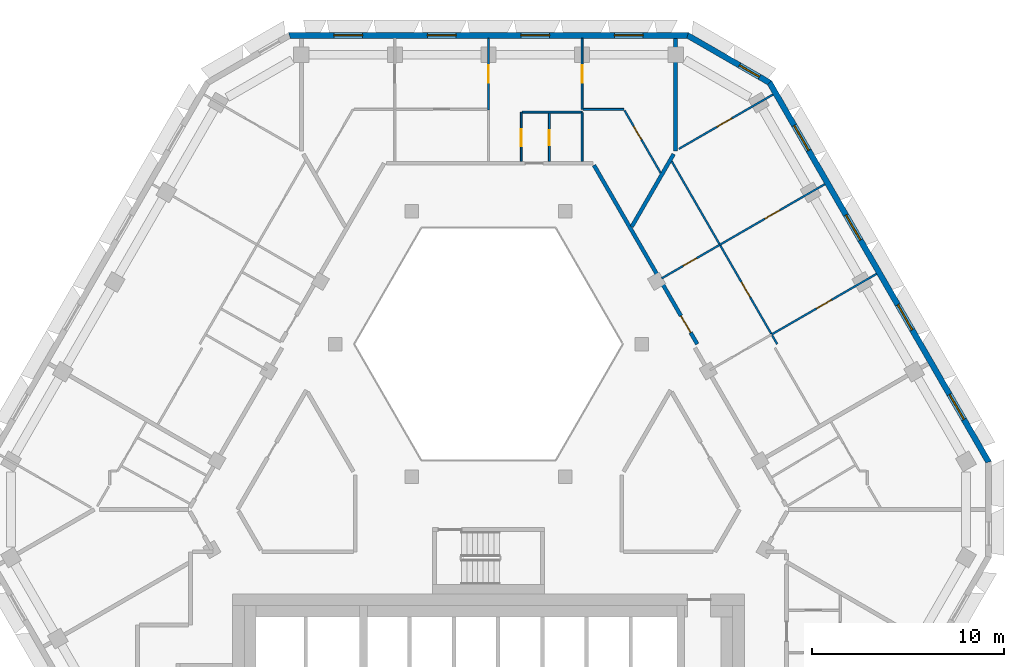
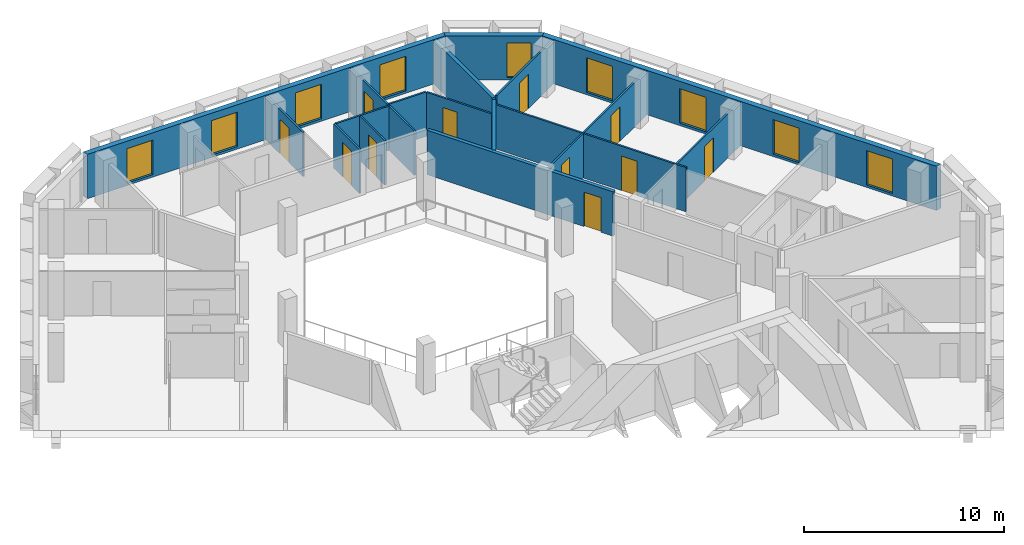
# One storey, part 7 of 14: 19 walls, 11 doors, 9 windows, 20 openings.
"""IFC4 building model written with IfcOpenShell, lengths in metres."""

from ifc_helpers import new_model, si_unit, direction, frame, frame_2d, origin, place, context, subcontext, project, spatial, polyline, rectangle, outline, extrude, material, layer, layer_set, type_object, element, fill, save


model = new_model("IFC4")

# Units and contexts
model_context = context("Model", 3, precision=1e-05, world=origin(), true_north=direction((0.0, 1.0)))
body_context = subcontext(model_context, "Body", "Model", "MODEL_VIEW")
ifc_project = project(units=[si_unit("LENGTHUNIT", "METRE"), si_unit("AREAUNIT", "SQUARE_METRE"), si_unit("VOLUMEUNIT", "CUBIC_METRE"), si_unit("PLANEANGLEUNIT", "RADIAN"), si_unit("MASSUNIT", "GRAM", prefix="KILO")], contexts=[model_context])

# Site, building, storey
site_placement = place(None, origin())
site = spatial("IfcSite", under=ifc_project, at=site_placement, CompositionType="ELEMENT")
building_placement = place(site_placement, origin())
building = spatial("IfcBuilding", under=site, at=building_placement, Name="Beryl Residences", CompositionType="ELEMENT")
storey_placement = place(building_placement, frame((0.0, 0.0, 181.199951171875)))
storey = spatial("IfcBuildingStorey", under=building, at=storey_placement, Name="L55", CompositionType="ELEMENT", Elevation=181.199951171875)

# Wall, openings, windows
ifc_material_1 = material(Name="Composite metal panel with mineral wool insulation")
ifc_layer_1 = layer(ifc_material_1, 0.300048828125)
ifc_layer_set_1 = layer_set([ifc_layer_1], Name="ES1 pale metal composite panel wall 300 mm")
wall_type_1 = type_object("IfcWallType", Name="ES1 pale metal composite panel wall 300 mm", PredefinedType="SOLIDWALL", material=ifc_layer_set_1)
wall_1_placement = place(storey_placement, frame((10.39208984375, 24.050048828125, 0.0), z_axis=(0.0, 0.0, 1.0), x_axis=(-1.0, 0.0, 0.0)))
wall_1 = element("IfcWall", 1, at=wall_1_placement, inside=storey, type_object=wall_type_1, Name="ES1 external wall L55 N", PredefinedType="SOLIDWALL", context=body_context, shape_type="SweptSolid", body=[
    extrude(outline(polyline([(0.0, -0.14990234375), (20.7841796875, -0.14990234375), (20.703857421875, 0.14990234375), (0.080322265625, 0.14990234375), (0.0, -0.14990234375)])), origin(), (0.0, 0.0, 1.0), 2.699951171875),
])
opening_1_placement = place(wall_1_placement, frame((2.345947265625, 0.0, 0.14990234375)))
opening_1 = element("IfcOpeningElement", 2, at=opening_1_placement, cuts=wall_1, Name="Opening W1", PredefinedType="OPENING", context=body_context, shape_type="SweptSolid", body=[
    extrude(rectangle(XDim=1.5, YDim=2.10009765625, at=frame_2d((0.75, 1.050048828125))), frame((0.0, 0.159912109375, 0.0), z_axis=(0.0, -1.0, 0.0), x_axis=(1.0, 0.0, 0.0)), (0.0, 0.0, 1.0), 0.320068359375),
])
opening_2_placement = place(wall_1_placement, frame((7.2099609375, 0.0, 0.14990234375)))
opening_2 = element("IfcOpeningElement", 3, at=opening_2_placement, cuts=wall_1, Name="Opening W1", PredefinedType="OPENING", context=body_context, shape_type="SweptSolid", body=[
    extrude(rectangle(XDim=1.5, YDim=2.10009765625, at=frame_2d((0.75, 1.050048828125))), frame((0.0, 0.159912109375, 0.0), z_axis=(0.0, -1.0, 0.0), x_axis=(1.0, 0.0, 0.0)), (0.0, 0.0, 1.0), 0.320068359375),
])
opening_3_placement = place(wall_1_placement, frame((12.073974609375, 0.0, 0.14990234375)))
opening_3 = element("IfcOpeningElement", 4, at=opening_3_placement, cuts=wall_1, Name="Opening W1", PredefinedType="OPENING", context=body_context, shape_type="SweptSolid", body=[
    extrude(rectangle(XDim=1.5, YDim=2.10009765625, at=frame_2d((0.75, 1.050048828125))), frame((0.0, 0.159912109375, 0.0), z_axis=(0.0, -1.0, 0.0), x_axis=(1.0, 0.0, 0.0)), (0.0, 0.0, 1.0), 0.320068359375),
])
opening_4_placement = place(wall_1_placement, frame((16.93798828125, 0.0, 0.14990234375)))
opening_4 = element("IfcOpeningElement", 5, at=opening_4_placement, cuts=wall_1, Name="Opening W1", PredefinedType="OPENING", context=body_context, shape_type="SweptSolid", body=[
    extrude(rectangle(XDim=1.5, YDim=2.10009765625, at=frame_2d((0.75, 1.050048828125))), frame((0.0, 0.159912109375, 0.0), z_axis=(0.0, -1.0, 0.0), x_axis=(1.0, 0.0, 0.0)), (0.0, 0.0, 1.0), 0.320068359375),
])
ifc_material_2 = material(Name="Aluminium and clear glass", Category="aluminium")
window_type_1 = type_object("IfcWindowType", Name="W1 cell window 1500 x 2100 mm", PartitioningType="SINGLE_PANEL", PredefinedType="WINDOW", material=ifc_material_2)
window_1_placement = place(opening_1_placement, origin())
window_1 = element("IfcWindow", 6, at=window_1_placement, inside=storey, type_object=window_type_1, Name="W1 window L55 N 2", OverallHeight=2.10009765625, OverallWidth=1.5, PartitioningType="SINGLE_PANEL", PredefinedType="WINDOW", context=body_context, shape_type="SweptSolid", body=[
    extrude(rectangle(XDim=1.5, YDim=2.10009765625, at=frame_2d((0.75, 1.050048828125))), frame((0.0, 0.030029296875, 0.0), z_axis=(0.0, -1.0, 0.0), x_axis=(1.0, 0.0, 0.0)), (0.0, 0.0, 1.0), 0.06005859375),
])
fill(opening_1, window_1)
window_2_placement = place(opening_2_placement, origin())
window_2 = element("IfcWindow", 7, at=window_2_placement, inside=storey, type_object=window_type_1, Name="W1 window L55 N 4", OverallHeight=2.10009765625, OverallWidth=1.5, PartitioningType="SINGLE_PANEL", PredefinedType="WINDOW", context=body_context, shape_type="SweptSolid", body=[
    extrude(rectangle(XDim=1.5, YDim=2.10009765625, at=frame_2d((0.75, 1.050048828125))), frame((0.0, 0.030029296875, 0.0), z_axis=(0.0, -1.0, 0.0), x_axis=(1.0, 0.0, 0.0)), (0.0, 0.0, 1.0), 0.06005859375),
])
fill(opening_2, window_2)
window_3_placement = place(opening_3_placement, origin())
window_3 = element("IfcWindow", 8, at=window_3_placement, inside=storey, type_object=window_type_1, Name="W1 window L55 N 6", OverallHeight=2.10009765625, OverallWidth=1.5, PartitioningType="SINGLE_PANEL", PredefinedType="WINDOW", context=body_context, shape_type="SweptSolid", body=[
    extrude(rectangle(XDim=1.5, YDim=2.10009765625, at=frame_2d((0.75, 1.050048828125))), frame((0.0, 0.030029296875, 0.0), z_axis=(0.0, -1.0, 0.0), x_axis=(1.0, 0.0, 0.0)), (0.0, 0.0, 1.0), 0.06005859375),
])
fill(opening_3, window_3)
window_4_placement = place(opening_4_placement, origin())
window_4 = element("IfcWindow", 9, at=window_4_placement, inside=storey, type_object=window_type_1, Name="W1 window L55 N 8", OverallHeight=2.10009765625, OverallWidth=1.5, PartitioningType="SINGLE_PANEL", PredefinedType="WINDOW", context=body_context, shape_type="SweptSolid", body=[
    extrude(rectangle(XDim=1.5, YDim=2.10009765625, at=frame_2d((0.75, 1.050048828125))), frame((0.0, 0.030029296875, 0.0), z_axis=(0.0, -1.0, 0.0), x_axis=(1.0, 0.0, 0.0)), (0.0, 0.0, 1.0), 0.06005859375),
])
fill(opening_4, window_4)

wall_2_placement = place(storey_placement, frame((26.02392578125, 1.824951171875, 0.0), z_axis=(0.0, 0.0, 1.0), x_axis=(-0.500010537973, 0.866019319597, 0.0)))
wall_2 = element("IfcWall", 10, at=wall_2_placement, inside=storey, type_object=wall_type_1, Name="ES1 external wall L55 NE", PredefinedType="SOLIDWALL", context=body_context, shape_type="SweptSolid", body=[
    extrude(outline(polyline([(0.0, -0.14990234375), (22.86328125, -0.14990234375), (22.782958984375, 0.14990234375), (0.080322265625, 0.14990234375), (0.0, -0.14990234375)])), origin(), (0.0, 0.0, 1.0), 2.699951171875),
])
opening_5_placement = place(wall_2_placement, frame((2.60595703125, 0.0, 0.14990234375)))
opening_5 = element("IfcOpeningElement", 11, at=opening_5_placement, cuts=wall_2, Name="Opening W1", PredefinedType="OPENING", context=body_context, shape_type="SweptSolid", body=[
    extrude(rectangle(XDim=1.5, YDim=2.10009765625, at=frame_2d((0.75, 1.050048828125))), frame((0.0, 0.159912109375, 0.0), z_axis=(0.0, -1.0, 0.0), x_axis=(1.0, 0.0, 0.0)), (0.0, 0.0, 1.0), 0.320068359375),
])
opening_6_placement = place(wall_2_placement, frame((7.989990234375, 0.0, 0.14990234375)))
opening_6 = element("IfcOpeningElement", 12, at=opening_6_placement, cuts=wall_2, Name="Opening W1", PredefinedType="OPENING", context=body_context, shape_type="SweptSolid", body=[
    extrude(rectangle(XDim=1.5, YDim=2.10009765625, at=frame_2d((0.75, 1.050048828125))), frame((0.0, 0.159912109375, 0.0), z_axis=(0.0, -1.0, 0.0), x_axis=(1.0, 0.0, 0.0)), (0.0, 0.0, 1.0), 0.320068359375),
])
opening_7_placement = place(wall_2_placement, frame((13.373046875, 0.0, 0.14990234375)))
opening_7 = element("IfcOpeningElement", 13, at=opening_7_placement, cuts=wall_2, Name="Opening W1", PredefinedType="OPENING", context=body_context, shape_type="SweptSolid", body=[
    extrude(rectangle(XDim=1.5, YDim=2.10009765625, at=frame_2d((0.75, 1.050048828125))), frame((0.0, 0.159912109375, 0.0), z_axis=(0.0, -1.0, 0.0), x_axis=(1.0, 0.0, 0.0)), (0.0, 0.0, 1.0), 0.320068359375),
])
opening_8_placement = place(wall_2_placement, frame((18.758056640625, 0.0, 0.14990234375)))
opening_8 = element("IfcOpeningElement", 14, at=opening_8_placement, cuts=wall_2, Name="Opening W1", PredefinedType="OPENING", context=body_context, shape_type="SweptSolid", body=[
    extrude(rectangle(XDim=1.5, YDim=2.10009765625, at=frame_2d((0.75, 1.050048828125))), frame((0.0, 0.159912109375, 0.0), z_axis=(0.0, -1.0, 0.0), x_axis=(1.0, 0.0, 0.0)), (0.0, 0.0, 1.0), 0.320068359375),
])
window_5_placement = place(opening_5_placement, origin())
window_5 = element("IfcWindow", 15, at=window_5_placement, inside=storey, type_object=window_type_1, Name="W1 window L55 NE 2", OverallHeight=2.10009765625, OverallWidth=1.5, PartitioningType="SINGLE_PANEL", PredefinedType="WINDOW", context=body_context, shape_type="SweptSolid", body=[
    extrude(rectangle(XDim=1.5, YDim=2.10009765625, at=frame_2d((0.75, 1.050048828125))), frame((0.0, 0.030029296875, 0.0), z_axis=(0.0, -1.0, 0.0), x_axis=(1.0, 0.0, 0.0)), (0.0, 0.0, 1.0), 0.06005859375),
])
fill(opening_5, window_5)
window_6_placement = place(opening_6_placement, origin())
window_6 = element("IfcWindow", 16, at=window_6_placement, inside=storey, type_object=window_type_1, Name="W1 window L55 NE 4", OverallHeight=2.10009765625, OverallWidth=1.5, PartitioningType="SINGLE_PANEL", PredefinedType="WINDOW", context=body_context, shape_type="SweptSolid", body=[
    extrude(rectangle(XDim=1.5, YDim=2.10009765625, at=frame_2d((0.75, 1.050048828125))), frame((0.0, 0.030029296875, 0.0), z_axis=(0.0, -1.0, 0.0), x_axis=(1.0, 0.0, 0.0)), (0.0, 0.0, 1.0), 0.06005859375),
])
fill(opening_6, window_6)
window_7_placement = place(opening_7_placement, origin())
window_7 = element("IfcWindow", 17, at=window_7_placement, inside=storey, type_object=window_type_1, Name="W1 window L55 NE 6", OverallHeight=2.10009765625, OverallWidth=1.5, PartitioningType="SINGLE_PANEL", PredefinedType="WINDOW", context=body_context, shape_type="SweptSolid", body=[
    extrude(rectangle(XDim=1.5, YDim=2.10009765625, at=frame_2d((0.75, 1.050048828125))), frame((0.0, 0.030029296875, 0.0), z_axis=(0.0, -1.0, 0.0), x_axis=(1.0, 0.0, 0.0)), (0.0, 0.0, 1.0), 0.06005859375),
])
fill(opening_7, window_7)
window_8_placement = place(opening_8_placement, origin())
window_8 = element("IfcWindow", 18, at=window_8_placement, inside=storey, type_object=window_type_1, Name="W1 window L55 NE 8", OverallHeight=2.10009765625, OverallWidth=1.5, PartitioningType="SINGLE_PANEL", PredefinedType="WINDOW", context=body_context, shape_type="SweptSolid", body=[
    extrude(rectangle(XDim=1.5, YDim=2.10009765625, at=frame_2d((0.75, 1.050048828125))), frame((0.0, 0.030029296875, 0.0), z_axis=(0.0, -1.0, 0.0), x_axis=(1.0, 0.0, 0.0)), (0.0, 0.0, 1.0), 0.06005859375),
])
fill(opening_8, window_8)

# Wall, opening, window
wall_3_placement = place(storey_placement, frame((14.64697265625, 21.570068359375, 0.0), z_axis=(0.0, 0.0, 1.0), x_axis=(-0.866022959057, 0.500004234368, 0.0)))
wall_3 = element("IfcWall", 19, at=wall_3_placement, inside=storey, type_object=wall_type_1, Name="ES1 external wall L55 NE-N", PredefinedType="SOLIDWALL", context=body_context, shape_type="SweptSolid", body=[
    extrude(outline(polyline([(0.0, -0.14990234375), (5.0, -0.14990234375), (4.919677734375, 0.14990234375), (0.080322265625, 0.14990234375), (0.0, -0.14990234375)])), origin(), (0.0, 0.0, 1.0), 2.699951171875),
])
opening_9_placement = place(wall_3_placement, frame((0.64990234375, 0.0, 0.14990234375)))
opening_9 = element("IfcOpeningElement", 20, at=opening_9_placement, cuts=wall_3, Name="Opening W2", PredefinedType="OPENING", context=body_context, shape_type="SweptSolid", body=[
    extrude(rectangle(XDim=1.199951171875, YDim=2.10009765625, at=frame_2d((0.60009765625, 1.050048828125))), frame((0.0, 0.159912109375, 0.0), z_axis=(0.0, -1.0, 0.0), x_axis=(1.0, 0.0, 0.0)), (0.0, 0.0, 1.0), 0.320068359375),
])
ifc_material_3 = material(Name="Aluminium and clear glass", Category="aluminium")
window_type_2 = type_object("IfcWindowType", Name="W2 chamfer window 1200 x 2100 mm", PartitioningType="SINGLE_PANEL", PredefinedType="WINDOW", material=ifc_material_3)
window_9_placement = place(opening_9_placement, origin())
window_9 = element("IfcWindow", 21, at=window_9_placement, inside=storey, type_object=window_type_2, Name="W2 window L55 NE-N 1", OverallHeight=2.10009765625, OverallWidth=1.199951171875, PartitioningType="SINGLE_PANEL", PredefinedType="WINDOW", context=body_context, shape_type="SweptSolid", body=[
    extrude(rectangle(XDim=1.199951171875, YDim=2.10009765625, at=frame_2d((0.60009765625, 1.050048828125))), frame((0.0, 0.030029296875, 0.0), z_axis=(0.0, -1.0, 0.0), x_axis=(1.0, 0.0, 0.0)), (0.0, 0.0, 1.0), 0.06005859375),
])
fill(opening_9, window_9)

# Wall, opening, door
ifc_material_4 = material(Name="Gypsum board partition on steel studs", Category="steel")
ifc_layer_2 = layer(ifc_material_4, 0.10009765625)
ifc_layer_set_2 = layer_set([ifc_layer_2], Name="PT1 partition 100 mm gypsum board on steel studs")
wall_type_2 = type_object("IfcWallType", Name="PT1 partition 100 mm gypsum board on steel studs", PredefinedType="PARTITIONING", material=ifc_layer_set_2)
wall_4_placement = place(storey_placement, frame((7.072998046875, 20.14990234375, 0.0), z_axis=(0.0, 0.0, 1.0), x_axis=(0.499917691695, -0.866072919292, 0.0)))
wall_4 = element("IfcWall", 22, at=wall_4_placement, inside=storey, type_object=wall_type_2, Name="Wall PT1 L55 001", PredefinedType="PARTITIONING", context=body_context, shape_type="SweptSolid", body=[
    extrude(rectangle(XDim=3.752685546875, YDim=0.10009765625, at=frame_2d((1.87646484375, 0.0))), origin(), (0.0, 0.0, 1.0), 2.699951171875),
])
opening_10_placement = place(wall_4_placement, frame((0.9599609375, 0.0, 0.0)))
opening_10 = element("IfcOpeningElement", 23, at=opening_10_placement, cuts=wall_4, Name="Opening D1713", PredefinedType="OPENING", context=body_context, shape_type="SweptSolid", body=[
    extrude(rectangle(XDim=0.800048828125, YDim=2.10009765625, at=frame_2d((0.39990234375, 1.050048828125))), frame((0.0, 0.06005859375, 0.0), z_axis=(0.0, -1.0, 0.0), x_axis=(1.0, 0.0, 0.0)), (0.0, 0.0, 1.0), 0.1201171875),
])
ifc_material_5 = material(Name="Timber door leaf", Category="wood")
door_type_1 = type_object("IfcDoorType", Name="D3 bathroom door 800 x 2100 mm", OperationType="SINGLE_SWING_LEFT", PredefinedType="DOOR", material=ifc_material_5)
door_1_placement = place(opening_10_placement, origin())
door_1 = element("IfcDoor", 24, at=door_1_placement, inside=storey, type_object=door_type_1, Name="Door D1713 L55 001", OperationType="SINGLE_SWING_LEFT", OverallHeight=2.10009765625, OverallWidth=0.800048828125, PredefinedType="DOOR", context=body_context, shape_type="SweptSolid", body=[
    extrude(rectangle(XDim=0.800048828125, YDim=2.10009765625, at=frame_2d((0.39990234375, 1.050048828125))), frame((0.0, 0.02490234375, 0.0), z_axis=(0.0, -1.0, 0.0), x_axis=(1.0, 0.0, 0.0)), (0.0, 0.0, 1.0), 0.050048828125),
])
fill(opening_10, door_1)

wall_5_placement = place(storey_placement, frame((9.52587890625, 17.5, 0.0), z_axis=(0.0, 0.0, 1.0), x_axis=(0.500019134094, -0.866014356428, 0.0)))
wall_5 = element("IfcWall", 25, at=wall_5_placement, inside=storey, type_object=wall_type_2, Name="Wall PT1 L55 003", PredefinedType="PARTITIONING", context=body_context, shape_type="SweptSolid", body=[
    extrude(rectangle(XDim=10.9697265625, YDim=0.10009765625, at=frame_2d((5.48486328125, 0.0))), origin(), (0.0, 0.0, 1.0), 2.699951171875),
])
opening_11_placement = place(wall_5_placement, frame((7.25, 0.0, 0.0)))
opening_11 = element("IfcOpeningElement", 26, at=opening_11_placement, cuts=wall_5, Name="Opening D1702", PredefinedType="OPENING", context=body_context, shape_type="SweptSolid", body=[
    extrude(rectangle(XDim=0.89990234375, YDim=2.10009765625, at=frame_2d((0.449951171875, 1.050048828125))), frame((0.0, 0.06005859375, 0.0), z_axis=(0.0, -1.0, 0.0), x_axis=(1.0, 0.0, 0.0)), (0.0, 0.0, 1.0), 0.1201171875),
])
ifc_material_6 = material(Name="Timber door leaf", Category="wood")
door_type_2 = type_object("IfcDoorType", Name="D2 room door 900 x 2100 mm", OperationType="SINGLE_SWING_LEFT", PredefinedType="DOOR", material=ifc_material_6)
door_2_placement = place(opening_11_placement, origin())
door_2 = element("IfcDoor", 27, at=door_2_placement, inside=storey, type_object=door_type_2, Name="Door D1702 L55 001", OperationType="SINGLE_SWING_RIGHT", OverallHeight=2.10009765625, OverallWidth=0.89990234375, PredefinedType="DOOR", context=body_context, shape_type="SweptSolid", body=[
    extrude(rectangle(XDim=0.89990234375, YDim=2.10009765625, at=frame_2d((0.449951171875, 1.050048828125))), frame((0.0, 0.02490234375, 0.0), z_axis=(0.0, -1.0, 0.0), x_axis=(1.0, 0.0, 0.0)), (0.0, 0.0, 1.0), 0.050048828125),
])
fill(opening_11, door_2)

# Walls
wall_6_placement = place(storey_placement, frame((4.864013671875, 20.030029296875, 0.0), z_axis=(0.0, 0.0, 1.0), x_axis=(0.0, -1.0, 0.0)))
element("IfcWall", 28, at=wall_6_placement, inside=storey, type_object=wall_type_2, Name="Wall PT1 L55 007", PredefinedType="PARTITIONING", context=body_context, shape_type="SweptSolid", body=[
    extrude(rectangle(XDim=2.530029296875, YDim=0.10009765625, at=frame_2d((1.26513671875, 0.0))), origin(), (0.0, 0.0, 1.0), 2.699951171875),
])
wall_7_placement = place(storey_placement, frame((1.7529296875, 20.06005859375, 0.0), z_axis=(0.0, 0.0, 1.0), x_axis=(1.0, 0.0, 0.0)))
element("IfcWall", 29, at=wall_7_placement, inside=storey, type_object=wall_type_2, Name="Wall PT1 L55 021", PredefinedType="PARTITIONING", context=body_context, shape_type="SweptSolid", body=[
    extrude(rectangle(XDim=3.111083984375, YDim=0.10009765625, at=frame_2d((1.5556640625, 0.0))), origin(), (0.0, 0.0, 1.0), 2.699951171875),
])
wall_8_placement = place(storey_placement, frame((4.9140625, 20.199951171875, 0.0), z_axis=(0.0, 0.0, 1.0), x_axis=(1.0, 0.0, 0.0)))
element("IfcWall", 30, at=wall_8_placement, inside=storey, type_object=wall_type_2, Name="Wall PT1 L55 023", PredefinedType="PARTITIONING", context=body_context, shape_type="SweptSolid", body=[
    extrude(rectangle(XDim=2.12890625, YDim=0.10009765625, at=frame_2d((1.064453125, 0.0))), origin(), (0.0, 0.0, 1.0), 2.699951171875),
])

# Wall, opening, door
wall_9_placement = place(storey_placement, frame((3.162109375, 17.5, 0.0), z_axis=(0.0, 0.0, 1.0), x_axis=(0.0, 1.0, 0.0)))
wall_9 = element("IfcWall", 31, at=wall_9_placement, inside=storey, type_object=wall_type_2, Name="Wall PT1 L55 029", PredefinedType="PARTITIONING", context=body_context, shape_type="SweptSolid", body=[
    extrude(rectangle(XDim=2.510009765625, YDim=0.10009765625, at=frame_2d((1.2548828125, 0.0))), origin(), (0.0, 0.0, 1.0), 2.699951171875),
])
opening_12_placement = place(wall_9_placement, frame((0.830078125, 0.0, 0.0)))
opening_12 = element("IfcOpeningElement", 32, at=opening_12_placement, cuts=wall_9, Name="Opening D1710", PredefinedType="OPENING", context=body_context, shape_type="SweptSolid", body=[
    extrude(rectangle(XDim=0.800048828125, YDim=2.10009765625, at=frame_2d((0.39990234375, 1.050048828125))), frame((0.0, 0.06005859375, 0.0), z_axis=(0.0, -1.0, 0.0), x_axis=(1.0, 0.0, 0.0)), (0.0, 0.0, 1.0), 0.1201171875),
])
door_3_placement = place(opening_12_placement, origin())
door_3 = element("IfcDoor", 33, at=door_3_placement, inside=storey, type_object=door_type_1, Name="Door D1710 L55 001", OperationType="SINGLE_SWING_RIGHT", OverallHeight=2.10009765625, OverallWidth=0.800048828125, PredefinedType="DOOR", context=body_context, shape_type="SweptSolid", body=[
    extrude(rectangle(XDim=0.800048828125, YDim=2.10009765625, at=frame_2d((0.39990234375, 1.050048828125))), frame((0.0, 0.02490234375, 0.0), z_axis=(0.0, -1.0, 0.0), x_axis=(1.0, 0.0, 0.0)), (0.0, 0.0, 1.0), 0.050048828125),
])
fill(opening_12, door_3)

wall_10_placement = place(storey_placement, frame((4.864013671875, 20.199951171875, 0.0), z_axis=(0.0, 0.0, 1.0), x_axis=(0.0, 1.0, 0.0)))
wall_10 = element("IfcWall", 34, at=wall_10_placement, inside=storey, type_object=wall_type_2, Name="Wall PT1 L55 030", PredefinedType="PARTITIONING", context=body_context, shape_type="SweptSolid", body=[
    extrude(rectangle(XDim=3.699951171875, YDim=0.10009765625, at=frame_2d((1.85009765625, 0.0))), origin(), (0.0, 0.0, 1.0), 2.699951171875),
])
opening_13_placement = place(wall_10_placement, frame((1.39990234375, 0.0, 0.0)))
opening_13 = element("IfcOpeningElement", 35, at=opening_13_placement, cuts=wall_10, Name="Opening D1712", PredefinedType="OPENING", context=body_context, shape_type="SweptSolid", body=[
    extrude(rectangle(XDim=0.89990234375, YDim=2.10009765625, at=frame_2d((0.449951171875, 1.050048828125))), frame((0.0, 0.06005859375, 0.0), z_axis=(0.0, -1.0, 0.0), x_axis=(1.0, 0.0, 0.0)), (0.0, 0.0, 1.0), 0.1201171875),
])
door_4_placement = place(opening_13_placement, origin())
door_4 = element("IfcDoor", 36, at=door_4_placement, inside=storey, type_object=door_type_2, Name="Door D1712 L55 001", OperationType="SINGLE_SWING_RIGHT", OverallHeight=2.10009765625, OverallWidth=0.89990234375, PredefinedType="DOOR", context=body_context, shape_type="SweptSolid", body=[
    extrude(rectangle(XDim=0.89990234375, YDim=2.10009765625, at=frame_2d((0.449951171875, 1.050048828125))), frame((0.0, 0.02490234375, 0.0), z_axis=(0.0, -1.0, 0.0), x_axis=(1.0, 0.0, 0.0)), (0.0, 0.0, 1.0), 0.050048828125),
])
fill(opening_13, door_4)

wall_11_placement = place(storey_placement, frame((1.701904296875, 17.5, 0.0), z_axis=(0.0, 0.0, 1.0), x_axis=(0.0, 1.0, 0.0)))
wall_11 = element("IfcWall", 37, at=wall_11_placement, inside=storey, type_object=wall_type_2, Name="Wall PT1 L55 031", PredefinedType="PARTITIONING", context=body_context, shape_type="SweptSolid", body=[
    extrude(rectangle(XDim=2.55908203125, YDim=0.10009765625, at=frame_2d((1.279541015625, 0.0))), origin(), (0.0, 0.0, 1.0), 2.699951171875),
])
opening_14_placement = place(wall_11_placement, frame((0.780029296875, 0.0, 0.0)))
opening_14 = element("IfcOpeningElement", 38, at=opening_14_placement, cuts=wall_11, Name="Opening D1709", PredefinedType="OPENING", context=body_context, shape_type="SweptSolid", body=[
    extrude(rectangle(XDim=0.89990234375, YDim=2.10009765625, at=frame_2d((0.449951171875, 1.050048828125))), frame((0.0, 0.06005859375, 0.0), z_axis=(0.0, -1.0, 0.0), x_axis=(1.0, 0.0, 0.0)), (0.0, 0.0, 1.0), 0.1201171875),
])
door_5_placement = place(opening_14_placement, origin())
door_5 = element("IfcDoor", 39, at=door_5_placement, inside=storey, type_object=door_type_2, Name="Door D1709 L55 001", OperationType="SINGLE_SWING_LEFT", OverallHeight=2.10009765625, OverallWidth=0.89990234375, PredefinedType="DOOR", context=body_context, shape_type="SweptSolid", body=[
    extrude(rectangle(XDim=0.89990234375, YDim=2.10009765625, at=frame_2d((0.449951171875, 1.050048828125))), frame((0.0, 0.02490234375, 0.0), z_axis=(0.0, -1.0, 0.0), x_axis=(1.0, 0.0, 0.0)), (0.0, 0.0, 1.0), 0.050048828125),
])
fill(opening_14, door_5)

wall_12_placement = place(storey_placement, frame((0.0, 20.179931640625, 0.0), z_axis=(0.0, 0.0, 1.0), x_axis=(0.0, 1.0, 0.0)))
wall_12 = element("IfcWall", 40, at=wall_12_placement, inside=storey, type_object=wall_type_2, Name="Wall PT1 L55 034", PredefinedType="PARTITIONING", context=body_context, shape_type="SweptSolid", body=[
    extrude(rectangle(XDim=3.719970703125, YDim=0.10009765625, at=frame_2d((1.85986328125, 0.0))), origin(), (0.0, 0.0, 1.0), 2.699951171875),
])
opening_15_placement = place(wall_12_placement, frame((1.409912109375, 0.0, 0.0)))
opening_15 = element("IfcOpeningElement", 41, at=opening_15_placement, cuts=wall_12, Name="Opening D1711", PredefinedType="OPENING", context=body_context, shape_type="SweptSolid", body=[
    extrude(rectangle(XDim=0.89990234375, YDim=2.10009765625, at=frame_2d((0.449951171875, 1.050048828125))), frame((0.0, 0.06005859375, 0.0), z_axis=(0.0, -1.0, 0.0), x_axis=(1.0, 0.0, 0.0)), (0.0, 0.0, 1.0), 0.1201171875),
])
door_6_placement = place(opening_15_placement, origin())
door_6 = element("IfcDoor", 42, at=door_6_placement, inside=storey, type_object=door_type_2, Name="Door D1711 L55 001", OperationType="SINGLE_SWING_LEFT", OverallHeight=2.10009765625, OverallWidth=0.89990234375, PredefinedType="DOOR", context=body_context, shape_type="SweptSolid", body=[
    extrude(rectangle(XDim=0.89990234375, YDim=2.10009765625, at=frame_2d((0.449951171875, 1.050048828125))), frame((0.0, 0.02490234375, 0.0), z_axis=(0.0, -1.0, 0.0), x_axis=(1.0, 0.0, 0.0)), (0.0, 0.0, 1.0), 0.050048828125),
])
fill(opening_15, door_6)

wall_13_placement = place(storey_placement, frame((8.9990234375, 11.4130859375, 0.0), z_axis=(0.0, 0.0, 1.0), x_axis=(0.866019471182, 0.500010275428, 0.0)))
wall_13 = element("IfcWall", 43, at=wall_13_placement, inside=storey, type_object=wall_type_2, Name="Wall PT1 L55 038", PredefinedType="PARTITIONING", context=body_context, shape_type="SweptSolid", body=[
    extrude(rectangle(XDim=3.5, YDim=0.10009765625, at=frame_2d((1.75, 0.0))), origin(), (0.0, 0.0, 1.0), 2.699951171875),
])
opening_16_placement = place(wall_13_placement, frame((1.300048828125, 0.0, 0.0)))
opening_16 = element("IfcOpeningElement", 44, at=opening_16_placement, cuts=wall_13, Name="Opening D1704", PredefinedType="OPENING", context=body_context, shape_type="SweptSolid", body=[
    extrude(rectangle(XDim=0.800048828125, YDim=2.10009765625, at=frame_2d((0.39990234375, 1.050048828125))), frame((0.0, 0.06005859375, 0.0), z_axis=(0.0, -1.0, 0.0), x_axis=(1.0, 0.0, 0.0)), (0.0, 0.0, 1.0), 0.1201171875),
])
door_7_placement = place(opening_16_placement, origin())
door_7 = element("IfcDoor", 45, at=door_7_placement, inside=storey, type_object=door_type_1, Name="Door D1704 L55 001", OperationType="SINGLE_SWING_RIGHT", OverallHeight=2.10009765625, OverallWidth=0.800048828125, PredefinedType="DOOR", context=body_context, shape_type="SweptSolid", body=[
    extrude(rectangle(XDim=0.800048828125, YDim=2.10009765625, at=frame_2d((0.39990234375, 1.050048828125))), frame((0.0, 0.02490234375, 0.0), z_axis=(0.0, -1.0, 0.0), x_axis=(1.0, 0.0, 0.0)), (0.0, 0.0, 1.0), 0.050048828125),
])
fill(opening_16, door_7)

wall_14_placement = place(storey_placement, frame((9.902099609375, 18.15087890625, 0.0), z_axis=(0.0, 0.0, 1.0), x_axis=(0.866032278734, 0.499988092049, 0.0)))
wall_14 = element("IfcWall", 46, at=wall_14_placement, inside=storey, type_object=wall_type_2, Name="Wall PT1 L55 039", PredefinedType="PARTITIONING", context=body_context, shape_type="SweptSolid", body=[
    extrude(rectangle(XDim=5.648681640625, YDim=0.10009765625, at=frame_2d((2.82421875, 0.0))), origin(), (0.0, 0.0, 1.0), 2.699951171875),
])
opening_17_placement = place(wall_14_placement, frame((2.27392578125, 0.0, 0.0)))
opening_17 = element("IfcOpeningElement", 47, at=opening_17_placement, cuts=wall_14, Name="Opening D1707", PredefinedType="OPENING", context=body_context, shape_type="SweptSolid", body=[
    extrude(rectangle(XDim=0.89990234375, YDim=2.10009765625, at=frame_2d((0.449951171875, 1.050048828125))), frame((0.0, 0.06005859375, 0.0), z_axis=(0.0, -1.0, 0.0), x_axis=(1.0, 0.0, 0.0)), (0.0, 0.0, 1.0), 0.1201171875),
])
door_8_placement = place(opening_17_placement, origin())
door_8 = element("IfcDoor", 48, at=door_8_placement, inside=storey, type_object=door_type_2, Name="Door D1707 L55 001", OperationType="SINGLE_SWING_LEFT", OverallHeight=2.10009765625, OverallWidth=0.89990234375, PredefinedType="DOOR", context=body_context, shape_type="SweptSolid", body=[
    extrude(rectangle(XDim=0.89990234375, YDim=2.10009765625, at=frame_2d((0.449951171875, 1.050048828125))), frame((0.0, 0.02490234375, 0.0), z_axis=(0.0, -1.0, 0.0), x_axis=(1.0, 0.0, 0.0)), (0.0, 0.0, 1.0), 0.050048828125),
])
fill(opening_17, door_8)

wall_15_placement = place(storey_placement, frame((14.721923828125, 8.5, 0.0), z_axis=(0.0, 0.0, 1.0), x_axis=(0.866035871367, 0.499981869177, 0.0)))
wall_15 = element("IfcWall", 49, at=wall_15_placement, inside=storey, type_object=wall_type_2, Name="Wall PT1 L55 042", PredefinedType="PARTITIONING", context=body_context, shape_type="SweptSolid", body=[
    extrude(rectangle(XDim=6.300048828125, YDim=0.10009765625, at=frame_2d((3.14990234375, 0.0))), origin(), (0.0, 0.0, 1.0), 2.699951171875),
])
opening_18_placement = place(wall_15_placement, frame((2.699951171875, 0.0, 0.0)))
opening_18 = element("IfcOpeningElement", 50, at=opening_18_placement, cuts=wall_15, Name="Opening D1705", PredefinedType="OPENING", context=body_context, shape_type="SweptSolid", body=[
    extrude(rectangle(XDim=0.89990234375, YDim=2.10009765625, at=frame_2d((0.449951171875, 1.050048828125))), frame((0.0, 0.06005859375, 0.0), z_axis=(0.0, -1.0, 0.0), x_axis=(1.0, 0.0, 0.0)), (0.0, 0.0, 1.0), 0.1201171875),
])
door_9_placement = place(opening_18_placement, origin())
door_9 = element("IfcDoor", 51, at=door_9_placement, inside=storey, type_object=door_type_2, Name="Door D1705 L55 001", OperationType="SINGLE_SWING_LEFT", OverallHeight=2.10009765625, OverallWidth=0.89990234375, PredefinedType="DOOR", context=body_context, shape_type="SweptSolid", body=[
    extrude(rectangle(XDim=0.89990234375, YDim=2.10009765625, at=frame_2d((0.449951171875, 1.050048828125))), frame((0.0, 0.02490234375, 0.0), z_axis=(0.0, -1.0, 0.0), x_axis=(1.0, 0.0, 0.0)), (0.0, 0.0, 1.0), 0.050048828125),
])
fill(opening_18, door_9)

wall_16_placement = place(storey_placement, frame((12.030029296875, 13.1630859375, 0.0), z_axis=(0.0, 0.0, 1.0), x_axis=(0.866035871367, 0.499981869177, 0.0)))
wall_16 = element("IfcWall", 52, at=wall_16_placement, inside=storey, type_object=wall_type_2, Name="Wall PT1 L55 043", PredefinedType="PARTITIONING", context=body_context, shape_type="SweptSolid", body=[
    extrude(rectangle(XDim=6.300048828125, YDim=0.10009765625, at=frame_2d((3.14990234375, 0.0))), origin(), (0.0, 0.0, 1.0), 2.699951171875),
])
opening_19_placement = place(wall_16_placement, frame((2.699951171875, 0.0, 0.0)))
opening_19 = element("IfcOpeningElement", 53, at=opening_19_placement, cuts=wall_16, Name="Opening D1706", PredefinedType="OPENING", context=body_context, shape_type="SweptSolid", body=[
    extrude(rectangle(XDim=0.89990234375, YDim=2.10009765625, at=frame_2d((0.449951171875, 1.050048828125))), frame((0.0, 0.06005859375, 0.0), z_axis=(0.0, -1.0, 0.0), x_axis=(1.0, 0.0, 0.0)), (0.0, 0.0, 1.0), 0.1201171875),
])
door_10_placement = place(opening_19_placement, origin())
door_10 = element("IfcDoor", 54, at=door_10_placement, inside=storey, type_object=door_type_2, Name="Door D1706 L55 001", OperationType="SINGLE_SWING_RIGHT", OverallHeight=2.10009765625, OverallWidth=0.89990234375, PredefinedType="DOOR", context=body_context, shape_type="SweptSolid", body=[
    extrude(rectangle(XDim=0.89990234375, YDim=2.10009765625, at=frame_2d((0.449951171875, 1.050048828125))), frame((0.0, 0.02490234375, 0.0), z_axis=(0.0, -1.0, 0.0), x_axis=(1.0, 0.0, 0.0)), (0.0, 0.0, 1.0), 0.050048828125),
])
fill(opening_19, door_10)

# Walls
ifc_material_7 = material(Name="Acoustic double stud gypsum board wall")
ifc_layer_3 = layer(ifc_material_7, 0.199951171875)
ifc_layer_set_3 = layer_set([ifc_layer_3], Name="PT3 party wall 200 mm acoustic double stud")
wall_type_3 = type_object("IfcWallType", Name="PT3 party wall 200 mm acoustic double stud", PredefinedType="PARTITIONING", material=ifc_layer_set_3)
wall_17_placement = place(storey_placement, frame((7.447998046875, 14.10009765625, 0.0), z_axis=(0.0, 0.0, 1.0), x_axis=(0.499961462843, 0.866047652079, 0.0)))
element("IfcWall", 55, at=wall_17_placement, inside=storey, type_object=wall_type_3, Name="Wall PT3 L55 007", PredefinedType="PARTITIONING", context=body_context, shape_type="SweptSolid", body=[
    extrude(rectangle(XDim=4.362060546875, YDim=0.199951171875, at=frame_2d((2.18115234375, 0.0))), origin(), (0.0, 0.0, 1.0), 2.699951171875),
])
wall_18_placement = place(storey_placement, frame((9.72802734375, 18.049072265625, 0.0), z_axis=(0.0, 0.0, 1.0), x_axis=(0.0, 1.0, 0.0)))
element("IfcWall", 56, at=wall_18_placement, inside=storey, type_object=wall_type_3, Name="Wall PT3 L55 008", PredefinedType="PARTITIONING", context=body_context, shape_type="SweptSolid", body=[
    extrude(rectangle(XDim=5.850830078125, YDim=0.199951171875, at=frame_2d((2.92529296875, 0.0))), origin(), (0.0, 0.0, 1.0), 2.699951171875),
])

# Wall, opening, door
ifc_material_8 = material(Name="Double stud gypsum board wall")
ifc_layer_4 = layer(ifc_material_8, 0.199951171875)
ifc_layer_set_4 = layer_set([ifc_layer_4], Name="PT4 corridor wall 200 mm double stud")
wall_type_4 = type_object("IfcWallType", Name="PT4 corridor wall 200 mm double stud", PredefinedType="PARTITIONING", material=ifc_layer_set_4)
wall_19_placement = place(storey_placement, frame((5.485107421875, 17.300048828125, 0.0), z_axis=(0.0, 0.0, 1.0), x_axis=(0.499965832213, -0.866045129667, 0.0)))
wall_19 = element("IfcWall", 57, at=wall_19_placement, inside=storey, type_object=wall_type_4, Name="Wall PT4 L55 006", PredefinedType="PARTITIONING", context=body_context, shape_type="SweptSolid", body=[
    extrude(rectangle(XDim=10.738525390625, YDim=0.199951171875, at=frame_2d((5.369140625, 0.0))), origin(), (0.0, 0.0, 1.0), 2.699951171875),
])
opening_20_placement = place(wall_19_placement, frame((9.047119140625, 0.0, 0.0)))
opening_20 = element("IfcOpeningElement", 58, at=opening_20_placement, cuts=wall_19, Name="Opening D1701", PredefinedType="OPENING", context=body_context, shape_type="SweptSolid", body=[
    extrude(rectangle(XDim=1.0, YDim=2.10009765625, at=frame_2d((0.5, 1.050048828125))), frame((0.0, 0.10986328125, 0.0), z_axis=(0.0, -1.0, 0.0), x_axis=(1.0, 0.0, 0.0)), (0.0, 0.0, 1.0), 0.219970703125),
])
ifc_material_9 = material(Name="Timber door leaf", Category="wood")
door_type_3 = type_object("IfcDoorType", Name="D1 flat entrance door 1000 x 2100 mm", OperationType="SINGLE_SWING_LEFT", PredefinedType="DOOR", material=ifc_material_9)
door_11_placement = place(opening_20_placement, origin())
door_11 = element("IfcDoor", 59, at=door_11_placement, inside=storey, type_object=door_type_3, Name="Door D1701 L55 001", OperationType="SINGLE_SWING_LEFT", OverallHeight=2.10009765625, OverallWidth=1.0, PredefinedType="DOOR", context=body_context, shape_type="SweptSolid", body=[
    extrude(rectangle(XDim=1.0, YDim=2.10009765625, at=frame_2d((0.5, 1.050048828125))), frame((0.0, 0.02490234375, 0.0), z_axis=(0.0, -1.0, 0.0), x_axis=(1.0, 0.0, 0.0)), (0.0, 0.0, 1.0), 0.050048828125),
])
fill(opening_20, door_11)

save(model, "model.ifc")
